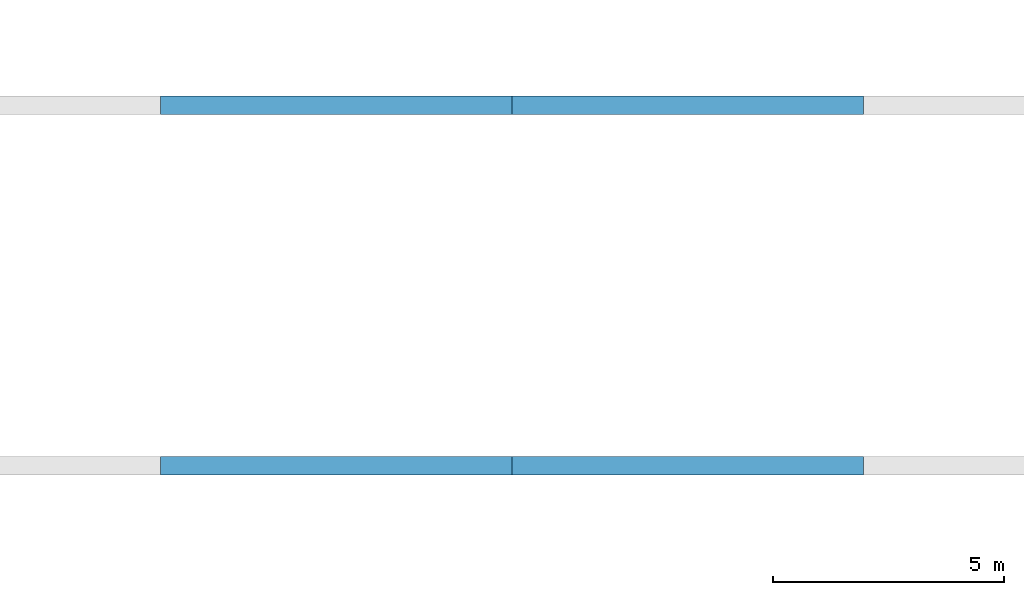
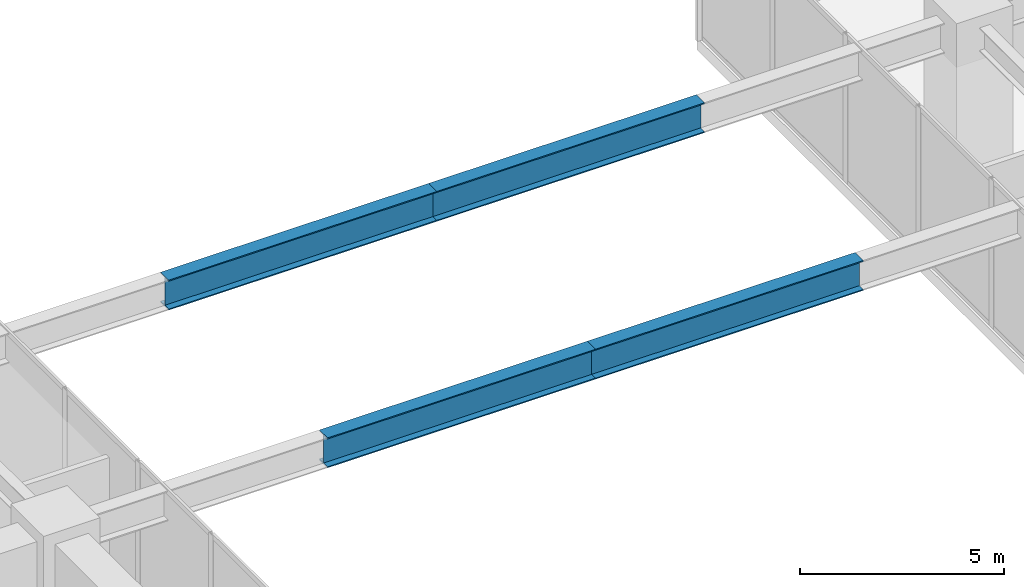
# One storey, part 20 of 39: 4 beams.
"""IFC4 building model written with IfcOpenShell, lengths in metres."""

from ifc_helpers import new_model, si_unit, direction, frame, origin, origin_2d, place, context, subcontext, project, spatial, i_section, extrude, source, transform, mapped, material, material_profile, profile_set, type_object, type_shapes, element, save


model = new_model("IFC4")

# Units and contexts
model_context = context("Model", 3, precision=1e-05, world=origin(), true_north=direction((0.0, 1.0)))
body_context = subcontext(model_context, "Body", "Model", "MODEL_VIEW")
ifc_project = project(units=[si_unit("LENGTHUNIT", "METRE"), si_unit("AREAUNIT", "SQUARE_METRE"), si_unit("VOLUMEUNIT", "CUBIC_METRE"), si_unit("PLANEANGLEUNIT", "RADIAN"), si_unit("MASSUNIT", "GRAM", prefix="KILO")], contexts=[model_context])

# Site, building, storey
site_placement = place(None, origin())
site = spatial("IfcSite", under=ifc_project, at=site_placement, CompositionType="ELEMENT")
building_placement = place(site_placement, origin())
building = spatial("IfcBuilding", under=site, at=building_placement, Name="Haelvirn Gate Laboratories", CompositionType="ELEMENT")
storey_placement = place(building_placement, frame((0.0, 0.0, 15.0)))
storey = spatial("IfcBuildingStorey", under=building, at=storey_placement, Name="L04", CompositionType="ELEMENT", Elevation=15.0)

# Beams
ifc_material = material(Name="Steel SM420", Category="steel")
ifc_material_profile = material_profile(ifc_material, i_section(OverallWidth=0.39990234375, OverallDepth=0.89990234375, WebThickness=0.01904296875, FlangeThickness=0.031982421875, at=origin_2d()), Name="H-900x400x19x32")
ifc_profile_set = profile_set([ifc_material_profile], Name="Steel SM420")
beam_type = type_object("IfcBeamType", Name="BM-TG-900", PredefinedType="BEAM", material=ifc_profile_set)
shared_shape_1 = source(origin(), body_context, "Body", "SweptSolid", [
    extrude(i_section(OverallWidth=0.39990234375, OverallDepth=0.89990234375, WebThickness=0.01904296875, FlangeThickness=0.031982421875, at=origin_2d()), origin(), (0.0, 0.0, 1.0), 7.60009765625),
])
for number, where, z_axis, x_axis, name in (
    (1, (37.39990234375, 33.800048828125, 4.0), (1.0, 0.0, 0.0), (0.0, 1.0, 0.0), "L05 Portal Transfer Truss Bottom Chord Y33.8-3"),
    (2, (37.39990234375, 41.60009765625, 4.0), (1.0, 0.0, 0.0), (0.0, 1.0, 0.0), "L05 Portal Transfer Truss Bottom Chord Y41.6-3"),
):
    element("IfcBeam", number, at=place(storey_placement, frame(where, z_axis=z_axis, x_axis=x_axis)), inside=storey, type_object=beam_type, Name=name, PredefinedType="BEAM", context=body_context, shape_type="MappedRepresentation", body=[
        mapped(shared_shape_1, transform((0.0, 0.0, 0.0), scale=1.0)),
    ])
shared_shape_2 = source(origin(), body_context, "Body", "SweptSolid", [
    extrude(i_section(OverallWidth=0.39990234375, OverallDepth=0.89990234375, WebThickness=0.01904296875, FlangeThickness=0.031982421875, at=origin_2d()), origin(), (0.0, 0.0, 1.0), 7.599853515625),
])
type_shapes(beam_type, [shared_shape_1, shared_shape_2])
for number, where, z_axis, x_axis, name in (
    (3, (29.800048828125, 33.800048828125, 4.0), (1.0, 0.0, 0.0), (0.0, 1.0, 0.0), "L05 Portal Transfer Truss Bottom Chord Y33.8-2"),
    (4, (29.800048828125, 41.60009765625, 4.0), (1.0, 0.0, 0.0), (0.0, 1.0, 0.0), "L05 Portal Transfer Truss Bottom Chord Y41.6-2"),
):
    element("IfcBeam", number, at=place(storey_placement, frame(where, z_axis=z_axis, x_axis=x_axis)), inside=storey, type_object=beam_type, Name=name, PredefinedType="BEAM", context=body_context, shape_type="MappedRepresentation", body=[
        mapped(shared_shape_2, transform((0.0, 0.0, 0.0), scale=1.0)),
    ])

save(model, "model.ifc")
